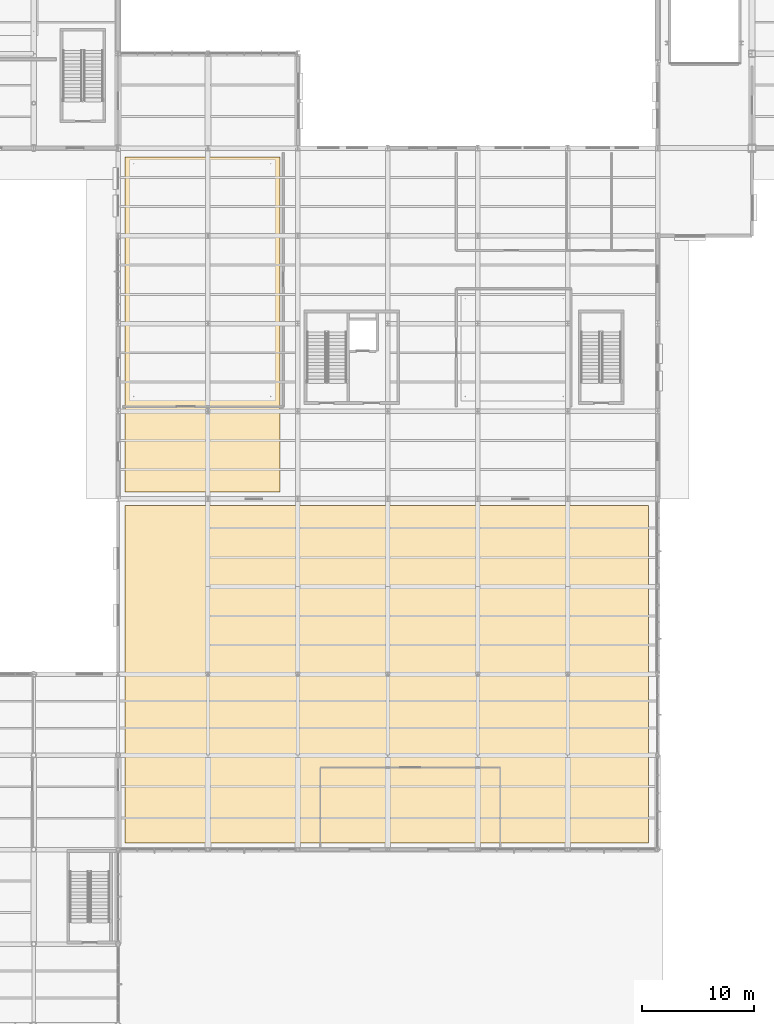
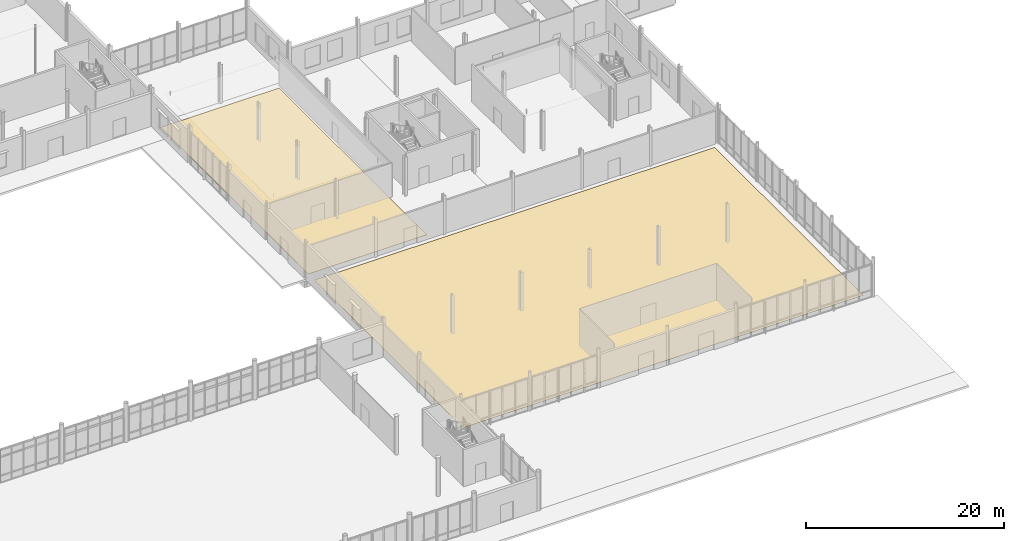
# One storey, part 76 of 82: 2 coverings.
"""IFC4 building model written with IfcOpenShell, lengths in metres."""

from ifc_helpers import new_model, si_unit, direction, origin, place, context, subcontext, project, spatial, polyline, outline, extrude, material, layer, layer_set, type_object, element, save


model = new_model("IFC4")

# Units and contexts
model_context = context("Model", 3, precision=1e-05, world=origin(), true_north=direction((0.0, 1.0)))
body_context = subcontext(model_context, "Body", "Model", "MODEL_VIEW")
ifc_project = project(units=[si_unit("LENGTHUNIT", "METRE"), si_unit("AREAUNIT", "SQUARE_METRE"), si_unit("VOLUMEUNIT", "CUBIC_METRE"), si_unit("PLANEANGLEUNIT", "RADIAN"), si_unit("MASSUNIT", "GRAM", prefix="KILO")], contexts=[model_context])

# Site, building, storey
site_placement = place(None, origin())
site = spatial("IfcSite", under=ifc_project, at=site_placement, CompositionType="ELEMENT")
building_placement = place(site_placement, origin())
building = spatial("IfcBuilding", under=site, at=building_placement, Name="Yukiwa Park Conservatory and Herbarium", CompositionType="ELEMENT")
storey_placement = place(building_placement, origin())
storey = spatial("IfcBuildingStorey", under=building, at=storey_placement, Name="L00", CompositionType="ELEMENT", Elevation=0.0)

# Coverings
ifc_material = material(Name="Polished Pale Terrazzo Flooring")
ifc_layer = layer(ifc_material, 0.02490234375)
ifc_layer_set = layer_set([ifc_layer], Name="Polished Pale Terrazzo Flooring")
covering_type = type_object("IfcCoveringType", Name="COV-FLR-TERRAZZO", PredefinedType="FLOORING", material=ifc_layer_set)
covering_1_placement = place(storey_placement, origin())
element("IfcCovering", 1, at=covering_1_placement, inside=storey, type_object=covering_type, Name="L00 finished floor covering FLR-L00-CONC", PredefinedType="FLOORING", context=body_context, shape_type="SweptSolid", body=[
    extrude(outline(polyline([(60.60009765625, 16.199951171875), (107.199951171875, 16.199951171875), (107.199951171875, 46.199951171875), (60.60009765625, 46.199951171875), (60.60009765625, 16.199951171875)])), origin(), (0.0, 0.0, 1.0), 0.02490234375),
])
covering_2_placement = place(storey_placement, origin())
element("IfcCovering", 2, at=covering_2_placement, inside=storey, type_object=covering_type, Name="L00 finished floor covering FLR-L00-VIS", PredefinedType="FLOORING", context=body_context, shape_type="SweptSolid", body=[
    extrude(outline(polyline([(60.60009765625, 47.39990234375), (74.39990234375, 47.39990234375), (74.39990234375, 77.199951171875), (60.60009765625, 77.199951171875), (60.60009765625, 47.39990234375)])), origin(), (0.0, 0.0, 1.0), 0.02490234375),
])

save(model, "model.ifc")
